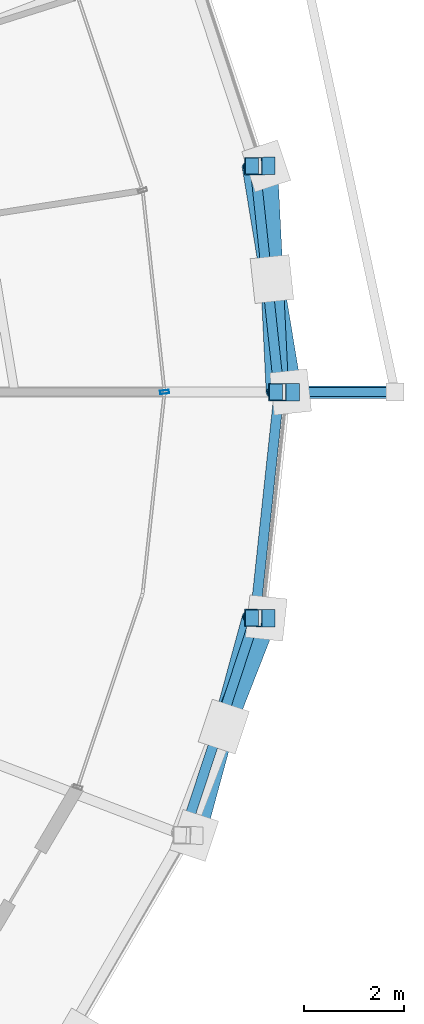
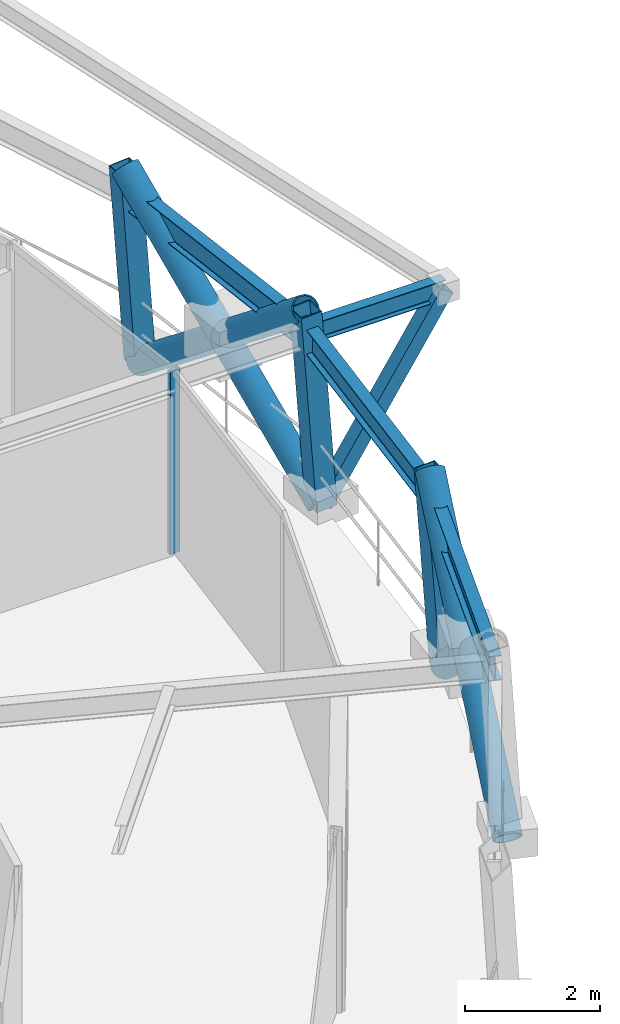
# One storey, part 9 of 18: 10 members, 4 beams, 1 element without a shape of its own.
"""IFC4 building model written with IfcOpenShell, lengths in metres."""

from ifc_helpers import new_model, si_unit, direction, frame, origin, origin_2d, place, context, subcontext, project, spatial, hollow_rectangle, hollow_circle, i_section, extrude, material, layer, layer_set, material_profile, profile_set, type_object, element, aggregate, save


model = new_model("IFC4")

# Units and contexts
model_context = context("Model", 3, precision=1e-05, world=origin(), true_north=direction((0.0, 1.0)))
body_context = subcontext(model_context, "Body", "Model", "MODEL_VIEW")
ifc_project = project(units=[si_unit("LENGTHUNIT", "METRE"), si_unit("AREAUNIT", "SQUARE_METRE"), si_unit("VOLUMEUNIT", "CUBIC_METRE"), si_unit("PLANEANGLEUNIT", "RADIAN"), si_unit("MASSUNIT", "GRAM", prefix="KILO")], contexts=[model_context])

# Site, building, storey
site_placement = place(None, origin())
site = spatial("IfcSite", under=ifc_project, at=site_placement, CompositionType="ELEMENT")
building_placement = place(site_placement, origin())
building = spatial("IfcBuilding", under=site, at=building_placement, Name="Veldorina Hangang Commons", CompositionType="ELEMENT")
storey_placement = place(building_placement, frame((0.0, 0.0, 218.39990234375)))
storey = spatial("IfcBuildingStorey", under=building, at=storey_placement, Name="L56", CompositionType="ELEMENT", Elevation=218.39990234375)

# Beams
ifc_material_1 = material(Name="Steel SM355-TMC", Category="steel")
ifc_material_profile_1 = material_profile(ifc_material_1, i_section(OverallWidth=0.175048828125, OverallDepth=0.35009765625, WebThickness=0.007080078125, FlangeThickness=0.010986328125, FilletRadius=0.012939453125, at=origin_2d()), Name="H-350x175x7x11")
ifc_profile_set_1 = profile_set([ifc_material_profile_1], Name="Steel SM355-TMC")
beam_type_1 = type_object("IfcBeamType", Name="BM-FG350", PredefinedType="BEAM", material=ifc_profile_set_1)
beam_1_placement = place(storey_placement, frame((57.0654296875, 24.0, 3.18505859375), z_axis=(1.0, 0.0, 0.0), x_axis=(0.0, 1.0, 0.0)))
element("IfcBeam", 1, at=beam_1_placement, inside=storey, type_object=beam_type_1, Name="L57 tree balcony 2 bracket beam A", PredefinedType="BEAM", context=body_context, shape_type="SweptSolid", body=[
    extrude(i_section(OverallWidth=0.175048828125, OverallDepth=0.35009765625, WebThickness=0.007080078125, FlangeThickness=0.010986328125, FilletRadius=0.012939453125, at=origin_2d()), origin(), (0.0, 0.0, 1.0), 2.35009765625),
])
ifc_material_profile_2 = material_profile(ifc_material_1, i_section(OverallWidth=0.199951171875, OverallDepth=0.449951171875, WebThickness=0.009033203125, FlangeThickness=0.013916015625, FilletRadius=0.01611328125, at=origin_2d()), Name="H-450x200x9x14")
ifc_profile_set_2 = profile_set([ifc_material_profile_2], Name="Steel SM355-TMC")
beam_type_2 = type_object("IfcBeamType", Name="BM-RB450", PredefinedType="BEAM", material=ifc_profile_set_2)
beam_2_placement = place(storey_placement, frame((57.099609375, 24.0, 3.135009765625), z_axis=(-0.106183997013, 0.994346498349, 0.0), x_axis=(-0.994346498349, -0.106183997013, 0.0)))
element("IfcBeam", 2, at=beam_2_placement, inside=storey, type_object=beam_type_2, Name="L56 perimeter hoop ring beam 00", PredefinedType="BEAM", context=body_context, shape_type="SweptSolid", body=[
    extrude(i_section(OverallWidth=0.199951171875, OverallDepth=0.449951171875, WebThickness=0.009033203125, FlangeThickness=0.013916015625, FilletRadius=0.01611328125, at=origin_2d()), origin(), (0.0, 0.0, 1.0), 4.543212890625),
])
beam_3_placement = place(storey_placement, frame((55.18896484375, 15.138671875, 3.135009765625), z_axis=(0.312348797553, 0.949967488216, 0.0), x_axis=(-0.949967488216, 0.312348797553, 0.0)))
element("IfcBeam", 3, at=beam_3_placement, inside=storey, type_object=beam_type_2, Name="L56 perimeter hoop ring beam 30", PredefinedType="BEAM", context=body_context, shape_type="SweptSolid", body=[
    extrude(i_section(OverallWidth=0.199951171875, OverallDepth=0.449951171875, WebThickness=0.009033203125, FlangeThickness=0.013916015625, FilletRadius=0.01611328125, at=origin_2d()), origin(), (0.0, 0.0, 1.0), 4.572509765625),
])
beam_4_placement = place(storey_placement, frame((56.6171875, 19.482421875, 3.135009765625), z_axis=(0.106183997013, 0.994346498349, 0.0), x_axis=(-0.994346498349, 0.106183997013, 0.0)))
element("IfcBeam", 4, at=beam_4_placement, inside=storey, type_object=beam_type_2, Name="L56 perimeter hoop ring beam 31", PredefinedType="BEAM", context=body_context, shape_type="SweptSolid", body=[
    extrude(i_section(OverallWidth=0.199951171875, OverallDepth=0.449951171875, WebThickness=0.009033203125, FlangeThickness=0.013916015625, FilletRadius=0.01611328125, at=origin_2d()), origin(), (0.0, 0.0, 1.0), 4.543212890625),
])

# Curtain wall, member
ifc_material_2 = material(Name="Glass Low-E Selective", Category="glass")
ifc_layer = layer(ifc_material_2, 0.179931640625)
ifc_layer_set = layer_set([ifc_layer], Name="Glass Low-E Selective")
curtain_wall_type = type_object("IfcCurtainWallType", Name="CW-SYS-Z3", PredefinedType="NOTDEFINED", material=ifc_layer_set)
curtain_wall_placement = place(storey_placement, origin())
curtain_wall = element("IfcCurtainWall", 5, at=curtain_wall_placement, inside=storey, type_object=curtain_wall_type, Name="L56 unitised curtain wall CW-L56-R2", PredefinedType="NOTDEFINED")
ifc_material_3 = material(Name="Aluminium Anodized AA6063-T6", Category="aluminium")
ifc_material_profile_3 = material_profile(ifc_material_3, hollow_rectangle(XDim=0.070068359375, YDim=0.179931640625, WallThickness=0.00390625, at=origin_2d()), Name="ALU-RHS-180x70x4")
ifc_profile_set_3 = profile_set([ifc_material_profile_3], Name="Aluminium Anodized AA6063-T6")
member_type_1 = type_object("IfcMemberType", Name="CW-MUL-180", PredefinedType="MULLION", material=ifc_profile_set_3)
member_1_placement = place(storey_placement, frame((54.80859375, 24.0, 0.0), z_axis=(0.0, 0.0, 1.0), x_axis=(-0.108172866136, 0.994132099387, 0.0)))
member_1 = element("IfcMember", 6, at=member_1_placement, type_object=member_type_1, Name="CW-L56-R2 vertical mullion 2", PredefinedType="MULLION", context=body_context, shape_type="SweptSolid", body=[
    extrude(hollow_rectangle(XDim=0.070068359375, YDim=0.179931640625, WallThickness=0.00390625, at=origin_2d()), origin(), (0.0, 0.0, 1.0), 3.320068359375),
])
aggregate(curtain_wall, [member_1])

# Members
ifc_material_profile_4 = material_profile(ifc_material_1, hollow_circle(Radius=0.22509765625, WallThickness=0.02197265625, at=origin_2d()), Name="CHS-450x22")
ifc_profile_set_4 = profile_set([ifc_material_profile_4], Name="Steel SM355-TMC")
member_type_2 = type_object("IfcMemberType", Name="DG-CHS450", PredefinedType="BRACE", material=ifc_profile_set_4)
member_2_placement = place(storey_placement, frame((57.32861328125, 24.0, 0.0), z_axis=(-0.127854672615, 0.775595787775, 0.618145902418), x_axis=(-0.986683521681, -0.162651861481, 0.0)))
element("IfcMember", 7, at=member_2_placement, inside=storey, type_object=member_type_2, Name="L56 continuous perimeter diagrid brace 00", PredefinedType="BRACE", context=body_context, shape_type="SweptSolid", body=[
    extrude(hollow_circle(Radius=0.22509765625, WallThickness=0.02197265625, at=origin_2d()), origin(), (0.0, 0.0, 1.0), 5.823974609375),
])
member_3_placement = place(storey_placement, frame((56.842041015625, 28.51953125, 0.0), z_axis=(0.039505986345, -0.781509447829, 0.622641357441), x_axis=(0.998724748078, 0.050486409819, 0.0)))
element("IfcMember", 8, at=member_3_placement, inside=storey, type_object=member_type_2, Name="L56 split perimeter diagrid lower brace 01", PredefinedType="BRACE", context=body_context, shape_type="SweptSolid", body=[
    extrude(hollow_circle(Radius=0.22509765625, WallThickness=0.02197265625, at=origin_2d()), origin(), (0.0, 0.0, 1.0), 2.89208984375),
])
member_4_placement = place(storey_placement, frame((56.956298828125, 26.25927734375, 1.80078125), z_axis=(0.037757738589, -0.781678104919, 0.622538106036), x_axis=(0.998835426529, 0.048247183451, 0.0)))
element("IfcMember", 9, at=member_4_placement, inside=storey, type_object=member_type_2, Name="L56 split perimeter diagrid upper brace 01", PredefinedType="BRACE", context=body_context, shape_type="SweptSolid", body=[
    extrude(hollow_circle(Radius=0.22509765625, WallThickness=0.02197265625, at=origin_2d()), origin(), (0.0, 0.0, 1.0), 2.890380859375),
])
member_5_placement = place(storey_placement, frame((55.400634765625, 15.134521484375, 0.0), z_axis=(0.205158687532, 0.753885162707, 0.624153085693), x_axis=(-0.964908696669, 0.262585618593, 0.0)))
element("IfcMember", 10, at=member_5_placement, inside=storey, type_object=member_type_2, Name="L56 continuous perimeter diagrid brace 30", PredefinedType="BRACE", context=body_context, shape_type="SweptSolid", body=[
    extrude(hollow_circle(Radius=0.22509765625, WallThickness=0.02197265625, at=origin_2d()), origin(), (0.0, 0.0, 1.0), 5.76806640625),
])
member_6_placement = place(storey_placement, frame((56.842041015625, 19.48046875, 0.0), z_axis=(-0.28835159746, -0.736751178449, 0.611597136436), x_axis=(0.931218047162, -0.364462547652, 0.0)))
element("IfcMember", 11, at=member_6_placement, inside=storey, type_object=member_type_2, Name="L56 split perimeter diagrid lower brace 31", PredefinedType="BRACE", context=body_context, shape_type="SweptSolid", body=[
    extrude(hollow_circle(Radius=0.22509765625, WallThickness=0.02197265625, at=origin_2d()), origin(), (0.0, 0.0, 1.0), 2.945556640625),
])
ifc_material_profile_5 = material_profile(ifc_material_1, hollow_rectangle(XDim=0.25, YDim=0.25, WallThickness=0.011962890625, at=origin_2d()), Name="SHS-250x250x12")
ifc_profile_set_5 = profile_set([ifc_material_profile_5], Name="Steel SM355-TMC")
member_type_3 = type_object("IfcMemberType", Name="STR-SHS250", PredefinedType="STRUT", material=ifc_profile_set_5)
member_7_placement = place(storey_placement, frame((57.32861328125, 24.0, 0.0), z_axis=(0.54805410058, 0.0, 0.836442886776), x_axis=(0.0, 1.0, 0.0)))
element("IfcMember", 12, at=member_7_placement, inside=storey, type_object=member_type_3, Name="L57 tree balcony 2 raking knee strut A", PredefinedType="STRUT", context=body_context, shape_type="SweptSolid", body=[
    extrude(hollow_rectangle(XDim=0.25, YDim=0.25, WallThickness=0.011962890625, at=origin_2d()), origin(), (0.0, 0.0, 1.0), 3.807861328125),
])
ifc_material_profile_6 = material_profile(ifc_material_1, hollow_rectangle(XDim=0.35009765625, YDim=0.35009765625, WallThickness=0.01611328125, at=origin_2d()), Name="SHS-350x350x16")
ifc_profile_set_6 = profile_set([ifc_material_profile_6], Name="Steel SM355-TMC")
member_type_4 = type_object("IfcMemberType", Name="STR-SHS350", PredefinedType="STRUT", material=ifc_profile_set_6)
member_8_placement = place(storey_placement, frame((57.32861328125, 24.0, 0.0), z_axis=(-0.072910004662, 0.0, 0.997338523883), x_axis=(0.0, -1.0, 0.0)))
element("IfcMember", 13, at=member_8_placement, inside=storey, type_object=member_type_4, Name="L56 perimeter ring node post 00", PredefinedType="STRUT", context=body_context, shape_type="SweptSolid", body=[
    extrude(hollow_rectangle(XDim=0.35009765625, YDim=0.35009765625, WallThickness=0.01611328125, at=origin_2d()), origin(), (0.0, 0.0, 1.0), 3.609619140625),
])
for number, where, z_axis, x_axis, name in (
    (14, (56.842041015625, 28.51953125, 0.0), (-0.071496995736, -0.00067641434, 0.997440585732), (0.009460314572, -0.999955250223, 0.0), "L56 perimeter ring node post 01"),
    (15, (56.842041015625, 19.48046875, 0.0), (-0.071496995736, 0.00067641434, 0.997440585732), (-0.009460314572, -0.999955250223, 0.0), "L56 perimeter ring node post 31"),
):
    element("IfcMember", number, at=place(storey_placement, frame(where, z_axis=z_axis, x_axis=x_axis)), inside=storey, type_object=member_type_4, Name=name, PredefinedType="STRUT", context=body_context, shape_type="SweptSolid", body=[
        extrude(hollow_rectangle(XDim=0.35009765625, YDim=0.35009765625, WallThickness=0.01611328125, at=origin_2d()), origin(), (0.0, 0.0, 1.0), 3.609375),
    ])

save(model, "model.ifc")
